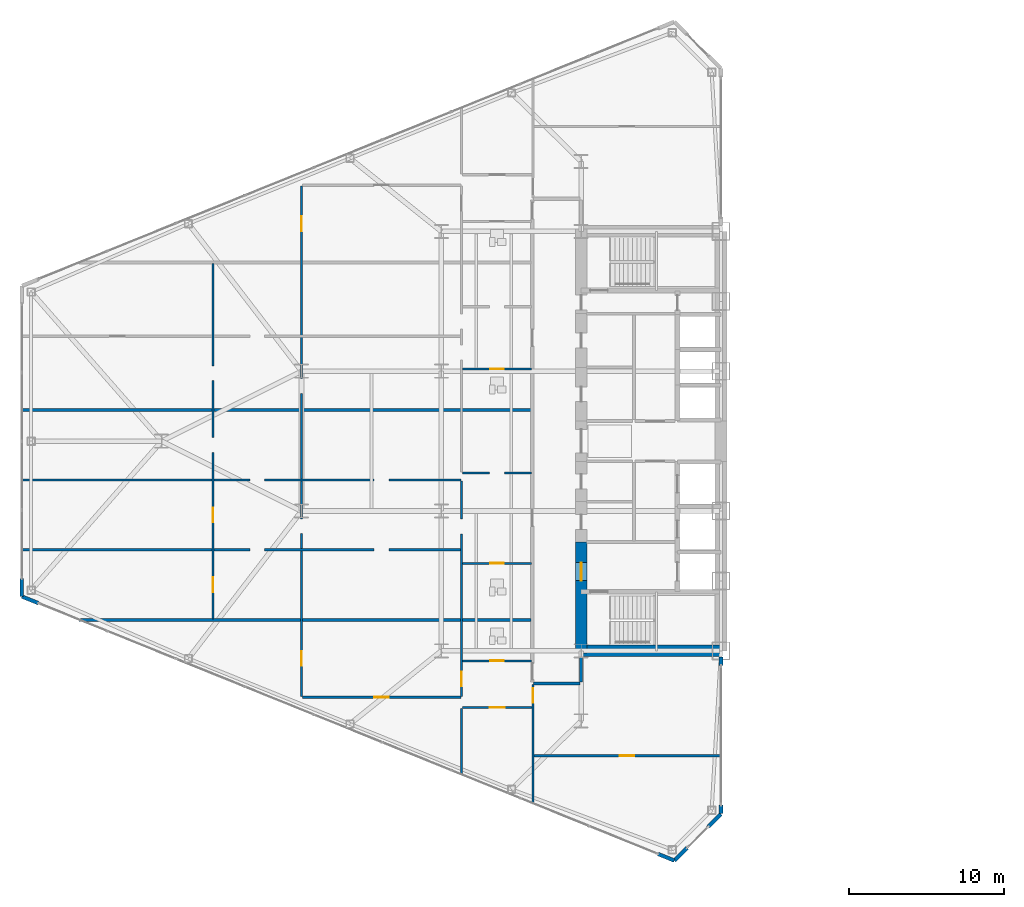
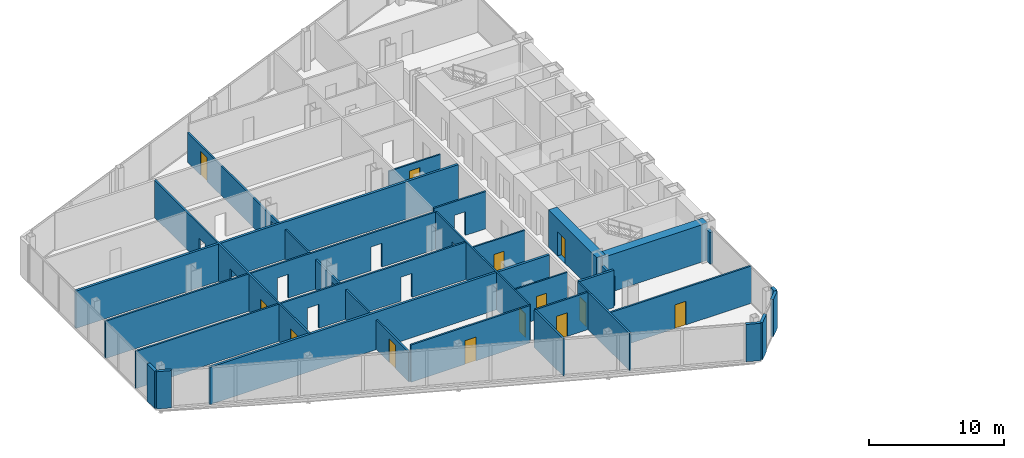
# One storey, part 17 of 25: 27 walls, 13 doors, 23 openings.
"""IFC4 building model written with IfcOpenShell, lengths in metres."""

from ifc_helpers import new_model, si_unit, direction, frame, frame_2d, origin, place, context, subcontext, project, spatial, rectangle, extrude, source, transform, mapped, material, layer, layer_set, type_object, type_shapes, element, fill, save


model = new_model("IFC4")

# Units and contexts
model_context = context("Model", 3, precision=1e-05, world=origin(), true_north=direction((0.0, 1.0)))
body_context = subcontext(model_context, "Body", "Model", "MODEL_VIEW")
ifc_project = project(units=[si_unit("LENGTHUNIT", "METRE"), si_unit("AREAUNIT", "SQUARE_METRE"), si_unit("VOLUMEUNIT", "CUBIC_METRE"), si_unit("PLANEANGLEUNIT", "RADIAN"), si_unit("MASSUNIT", "GRAM", prefix="KILO")], contexts=[model_context])

# Site, building, storey
site_placement = place(None, origin())
site = spatial("IfcSite", under=ifc_project, at=site_placement, CompositionType="ELEMENT")
building_placement = place(site_placement, origin())
building = spatial("IfcBuilding", under=site, at=building_placement, Name="Seokmaru Belvedere", CompositionType="ELEMENT")
storey_placement = place(building_placement, frame((0.0, 0.0, 29.699951171875)))
storey = spatial("IfcBuildingStorey", under=building, at=storey_placement, Name="L07", CompositionType="ELEMENT", Elevation=29.699951171875)

# Wall, opening, door
ifc_material_1 = material(Name="Fire-Rated Gypsum Shaftwall")
ifc_layer_1 = layer(ifc_material_1, 0.14990234375)
ifc_layer_set_1 = layer_set([ifc_layer_1], Name="Fire-Rated Gypsum Shaftwall")
wall_type_1 = type_object("IfcWallType", Name="Apartment Fire-Acoustic Room Partition 150", PredefinedType="PARTITIONING", material=ifc_layer_set_1)
wall_1_placement = place(storey_placement, frame((-39.550048828125, -20.25, 0.0), z_axis=(0.0, 0.0, 1.0), x_axis=(1.0, 0.0, 0.0)))
wall_1 = element("IfcWall", 1, at=wall_1_placement, inside=storey, type_object=wall_type_1, Name="L07 Interior Partition 001", PredefinedType="PARTITIONING", context=body_context, shape_type="SweptSolid", body=[
    extrude(rectangle(XDim=12.0849609375, YDim=0.14990234375, at=frame_2d((6.04248046875, 0.0))), origin(), (0.0, 0.0, 1.0), 3.380126953125),
])
opening_1_placement = place(wall_1_placement, frame((5.52490234375, 0.0, 0.0)))
opening_1 = element("IfcOpeningElement", 2, at=opening_1_placement, cuts=wall_1, Name="Opening D05", PredefinedType="OPENING", context=body_context, shape_type="SweptSolid", body=[
    extrude(rectangle(XDim=0.949951171875, YDim=2.14990234375, at=frame_2d((0.47509765625, 1.074951171875))), frame((0.0, 0.0849609375, 0.0), z_axis=(0.0, -1.0, 0.0), x_axis=(1.0, 0.0, 0.0)), (0.0, 0.0, 1.0), 0.169921875),
])
ifc_material_2 = material(Name="Engineered White Oak Timber", Category="wood")
door_type_1 = type_object("IfcDoorType", Name="Apartment Interior Fire-Rated Oak Door 950x2150", OperationType="NOTDEFINED", PredefinedType="DOOR", material=ifc_material_2)
shared_shape_1 = source(origin(), body_context, "Body", "SweptSolid", [
    extrude(rectangle(XDim=0.949951171875, YDim=2.14990234375, at=frame_2d((0.47509765625, 1.074951171875))), frame((0.0, 0.02490234375, 0.0), z_axis=(0.0, -1.0, 0.0), x_axis=(1.0, 0.0, 0.0)), (0.0, 0.0, 1.0), 0.050048828125),
])
type_shapes(door_type_1, [shared_shape_1])
door_1_placement = place(opening_1_placement, origin())
door_1 = element("IfcDoor", 3, at=door_1_placement, inside=storey, type_object=door_type_1, Name="L07 Interior Door 008", OperationType="SINGLE_SWING_RIGHT", OverallHeight=2.14990234375, OverallWidth=0.949951171875, PredefinedType="DOOR", context=body_context, shape_type="MappedRepresentation", body=[
    mapped(shared_shape_1, transform((0.0, 0.0, 0.0), scale=1.0)),
])
fill(opening_1, door_1)

wall_2_placement = place(storey_placement, frame((-44.14990234375, -17.139892578125, 0.0), z_axis=(0.0, 0.0, 1.0), x_axis=(1.0, 0.0, 0.0)))
wall_2 = element("IfcWall", 4, at=wall_2_placement, inside=storey, type_object=wall_type_1, Name="L07 Interior Partition 003", PredefinedType="PARTITIONING", context=body_context, shape_type="SweptSolid", body=[
    extrude(rectangle(XDim=4.5, YDim=0.14990234375, at=frame_2d((2.25, 0.0))), origin(), (0.0, 0.0, 1.0), 3.380126953125),
])
opening_2_placement = place(wall_2_placement, frame((1.77490234375, 0.0, 0.0)))
opening_2 = element("IfcOpeningElement", 5, at=opening_2_placement, cuts=wall_2, Name="Opening D05", PredefinedType="OPENING", context=body_context, shape_type="SweptSolid", body=[
    extrude(rectangle(XDim=0.949951171875, YDim=2.14990234375, at=frame_2d((0.47509765625, 1.074951171875))), frame((0.0, 0.0849609375, 0.0), z_axis=(0.0, -1.0, 0.0), x_axis=(1.0, 0.0, 0.0)), (0.0, 0.0, 1.0), 0.169921875),
])
door_2_placement = place(opening_2_placement, origin())
door_2 = element("IfcDoor", 6, at=door_2_placement, inside=storey, type_object=door_type_1, Name="L07 Interior Door 003", OperationType="SINGLE_SWING_LEFT", OverallHeight=2.14990234375, OverallWidth=0.949951171875, PredefinedType="DOOR", context=body_context, shape_type="MappedRepresentation", body=[
    mapped(shared_shape_1, transform((0.0, 0.0, 0.0), scale=1.0)),
])
fill(opening_2, door_2)

wall_3_placement = place(storey_placement, frame((-54.449951171875, -16.47998046875, 0.0), z_axis=(0.0, 0.0, 1.0), x_axis=(1.0, 0.0, 0.0)))
wall_3 = element("IfcWall", 7, at=wall_3_placement, inside=storey, type_object=wall_type_1, Name="L07 Interior Partition 005", PredefinedType="PARTITIONING", context=body_context, shape_type="SweptSolid", body=[
    extrude(rectangle(XDim=10.199951171875, YDim=0.14990234375, at=frame_2d((5.10009765625, 0.0))), origin(), (0.0, 0.0, 1.0), 3.380126953125),
])
opening_3_placement = place(wall_3_placement, frame((4.625, 0.0, 0.0)))
opening_3 = element("IfcOpeningElement", 8, at=opening_3_placement, cuts=wall_3, Name="Opening D05", PredefinedType="OPENING", context=body_context, shape_type="SweptSolid", body=[
    extrude(rectangle(XDim=0.949951171875, YDim=2.14990234375, at=frame_2d((0.47509765625, 1.074951171875))), frame((0.0, 0.0849609375, 0.0), z_axis=(0.0, -1.0, 0.0), x_axis=(1.0, 0.0, 0.0)), (0.0, 0.0, 1.0), 0.169921875),
])
door_3_placement = place(opening_3_placement, origin())
door_3 = element("IfcDoor", 9, at=door_3_placement, inside=storey, type_object=door_type_1, Name="L07 Interior Door 007", OperationType="SINGLE_SWING_LEFT", OverallHeight=2.14990234375, OverallWidth=0.949951171875, PredefinedType="DOOR", context=body_context, shape_type="MappedRepresentation", body=[
    mapped(shared_shape_1, transform((0.0, 0.0, 0.0), scale=1.0)),
])
fill(opening_3, door_3)

# Wall, openings
wall_4_placement = place(storey_placement, frame((-72.534912109375, -7.0, 0.0), z_axis=(0.0, 0.0, 1.0), x_axis=(1.0, 0.0, 0.0)))
wall_4 = element("IfcWall", 10, at=wall_4_placement, inside=storey, type_object=wall_type_1, Name="L07 Interior Partition 014", PredefinedType="PARTITIONING", context=body_context, shape_type="SweptSolid", body=[
    extrude(rectangle(XDim=28.284912109375, YDim=0.14990234375, at=frame_2d((14.142578125, 0.0))), origin(), (0.0, 0.0, 1.0), 3.380126953125),
])
opening_4_placement = place(wall_4_placement, frame((22.7099609375, 0.0, 0.0)))
element("IfcOpeningElement", 11, at=opening_4_placement, cuts=wall_4, Name="L07 Cased Opening 014", PredefinedType="OPENING", context=body_context, shape_type="SweptSolid", body=[
    extrude(rectangle(XDim=0.949951171875, YDim=2.14990234375, at=frame_2d((0.47509765625, 1.074951171875))), frame((0.0, 0.0849609375, 0.0), z_axis=(0.0, -1.0, 0.0), x_axis=(1.0, 0.0, 0.0)), (0.0, 0.0, 1.0), 0.169921875),
])
opening_5_placement = place(wall_4_placement, frame((14.7099609375, 0.0, 0.0)))
element("IfcOpeningElement", 12, at=opening_5_placement, cuts=wall_4, Name="L07 Cased Opening 016", PredefinedType="OPENING", context=body_context, shape_type="SweptSolid", body=[
    extrude(rectangle(XDim=0.949951171875, YDim=2.14990234375, at=frame_2d((0.47509765625, 1.074951171875))), frame((0.0, 0.0849609375, 0.0), z_axis=(0.0, -1.0, 0.0), x_axis=(1.0, 0.0, 0.0)), (0.0, 0.0, 1.0), 0.169921875),
])

wall_5_placement = place(storey_placement, frame((-72.534912109375, -2.5, 0.0), z_axis=(0.0, 0.0, 1.0), x_axis=(1.0, 0.0, 0.0)))
wall_5 = element("IfcWall", 13, at=wall_5_placement, inside=storey, type_object=wall_type_1, Name="L07 Interior Partition 016", PredefinedType="PARTITIONING", context=body_context, shape_type="SweptSolid", body=[
    extrude(rectangle(XDim=28.284912109375, YDim=0.14990234375, at=frame_2d((14.142578125, 0.0))), origin(), (0.0, 0.0, 1.0), 3.380126953125),
])
opening_6_placement = place(wall_5_placement, frame((22.7099609375, 0.0, 0.0)))
element("IfcOpeningElement", 14, at=opening_6_placement, cuts=wall_5, Name="L07 Cased Opening 015", PredefinedType="OPENING", context=body_context, shape_type="SweptSolid", body=[
    extrude(rectangle(XDim=0.949951171875, YDim=2.14990234375, at=frame_2d((0.47509765625, 1.074951171875))), frame((0.0, 0.0849609375, 0.0), z_axis=(0.0, -1.0, 0.0), x_axis=(1.0, 0.0, 0.0)), (0.0, 0.0, 1.0), 0.169921875),
])
opening_7_placement = place(wall_5_placement, frame((14.7099609375, 0.0, 0.0)))
element("IfcOpeningElement", 15, at=opening_7_placement, cuts=wall_5, Name="L07 Cased Opening 019", PredefinedType="OPENING", context=body_context, shape_type="SweptSolid", body=[
    extrude(rectangle(XDim=0.949951171875, YDim=2.14990234375, at=frame_2d((0.47509765625, 1.074951171875))), frame((0.0, 0.0849609375, 0.0), z_axis=(0.0, -1.0, 0.0), x_axis=(1.0, 0.0, 0.0)), (0.0, 0.0, 1.0), 0.169921875),
])

# Wall, opening
wall_6_placement = place(storey_placement, frame((-44.14990234375, -2.050048828125, 0.0), z_axis=(0.0, 0.0, 1.0), x_axis=(1.0, 0.0, 0.0)))
wall_6 = element("IfcWall", 16, at=wall_6_placement, inside=storey, type_object=wall_type_1, Name="L07 Interior Partition 018", PredefinedType="PARTITIONING", context=body_context, shape_type="SweptSolid", body=[
    extrude(rectangle(XDim=4.449951171875, YDim=0.14990234375, at=frame_2d((2.22509765625, 0.0))), origin(), (0.0, 0.0, 1.0), 3.380126953125),
])
opening_8_placement = place(wall_6_placement, frame((1.75, 0.0, 0.0)))
element("IfcOpeningElement", 17, at=opening_8_placement, cuts=wall_6, Name="L07 Cased Opening 011", PredefinedType="OPENING", context=body_context, shape_type="SweptSolid", body=[
    extrude(rectangle(XDim=0.949951171875, YDim=2.14990234375, at=frame_2d((0.47509765625, 1.074951171875))), frame((0.0, 0.0849609375, 0.0), z_axis=(0.0, -1.0, 0.0), x_axis=(1.0, 0.0, 0.0)), (0.0, 0.0, 1.0), 0.169921875),
])

# Wall, openings, doors
wall_7_placement = place(storey_placement, frame((-60.199951171875, -11.449951171875, 0.0), z_axis=(0.0, 0.0, 1.0), x_axis=(0.0, 1.0, 0.0)))
wall_7 = element("IfcWall", 18, at=wall_7_placement, inside=storey, type_object=wall_type_1, Name="L07 Interior Partition 039", PredefinedType="PARTITIONING", context=body_context, shape_type="SweptSolid", body=[
    extrude(rectangle(XDim=22.89990234375, YDim=0.14990234375, at=frame_2d((11.449951171875, 0.0))), origin(), (0.0, 0.0, 1.0), 3.380126953125),
])
opening_9_placement = place(wall_7_placement, frame((1.72509765625, 0.0, 0.0)))
opening_9 = element("IfcOpeningElement", 19, at=opening_9_placement, cuts=wall_7, Name="Opening D05", PredefinedType="OPENING", context=body_context, shape_type="SweptSolid", body=[
    extrude(rectangle(XDim=0.949951171875, YDim=2.14990234375, at=frame_2d((0.47509765625, 1.074951171875))), frame((0.0, 0.0849609375, 0.0), z_axis=(0.0, -1.0, 0.0), x_axis=(1.0, 0.0, 0.0)), (0.0, 0.0, 1.0), 0.169921875),
])
opening_10_placement = place(wall_7_placement, frame((6.22509765625, 0.0, 0.0)))
opening_10 = element("IfcOpeningElement", 20, at=opening_10_placement, cuts=wall_7, Name="Opening D05", PredefinedType="OPENING", context=body_context, shape_type="SweptSolid", body=[
    extrude(rectangle(XDim=0.949951171875, YDim=2.14990234375, at=frame_2d((0.47509765625, 1.074951171875))), frame((0.0, 0.0849609375, 0.0), z_axis=(0.0, -1.0, 0.0), x_axis=(1.0, 0.0, 0.0)), (0.0, 0.0, 1.0), 0.169921875),
])
opening_11_placement = place(wall_7_placement, frame((10.72509765625, 0.0, 0.0)))
element("IfcOpeningElement", 21, at=opening_11_placement, cuts=wall_7, Name="L07 Cased Opening 020", PredefinedType="OPENING", context=body_context, shape_type="SweptSolid", body=[
    extrude(rectangle(XDim=0.949951171875, YDim=2.14990234375, at=frame_2d((0.47509765625, 1.074951171875))), frame((0.0, 0.0849609375, 0.0), z_axis=(0.0, -1.0, 0.0), x_axis=(1.0, 0.0, 0.0)), (0.0, 0.0, 1.0), 0.169921875),
])
opening_12_placement = place(wall_7_placement, frame((15.35009765625, 0.0, 0.0)))
element("IfcOpeningElement", 22, at=opening_12_placement, cuts=wall_7, Name="L07 Cased Opening 027", PredefinedType="OPENING", context=body_context, shape_type="SweptSolid", body=[
    extrude(rectangle(XDim=0.949951171875, YDim=2.14990234375, at=frame_2d((0.47509765625, 1.074951171875))), frame((0.0, 0.0849609375, 0.0), z_axis=(0.0, -1.0, 0.0), x_axis=(1.0, 0.0, 0.0)), (0.0, 0.0, 1.0), 0.169921875),
])
door_4_placement = place(opening_9_placement, origin())
door_4 = element("IfcDoor", 23, at=door_4_placement, inside=storey, type_object=door_type_1, Name="L07 Interior Door 017", OperationType="SINGLE_SWING_RIGHT", OverallHeight=2.14990234375, OverallWidth=0.949951171875, PredefinedType="DOOR", context=body_context, shape_type="MappedRepresentation", body=[
    mapped(shared_shape_1, transform((0.0, 0.0, 0.0), scale=1.0)),
])
fill(opening_9, door_4)
door_5_placement = place(opening_10_placement, origin())
door_5 = element("IfcDoor", 24, at=door_5_placement, inside=storey, type_object=door_type_1, Name="L07 Interior Door 018", OperationType="SINGLE_SWING_RIGHT", OverallHeight=2.14990234375, OverallWidth=0.949951171875, PredefinedType="DOOR", context=body_context, shape_type="MappedRepresentation", body=[
    mapped(shared_shape_1, transform((0.0, 0.0, 0.0), scale=1.0)),
])
fill(opening_10, door_5)

wall_8_placement = place(storey_placement, frame((-54.5, -16.427001953125, 0.0), z_axis=(0.0, 0.0, 1.0), x_axis=(0.0, 1.0, 0.0)))
wall_8 = element("IfcWall", 25, at=wall_8_placement, inside=storey, type_object=wall_type_1, Name="L07 Interior Partition 040", PredefinedType="PARTITIONING", context=body_context, shape_type="SweptSolid", body=[
    extrude(rectangle(XDim=32.85400390625, YDim=0.14990234375, at=frame_2d((16.427001953125, 0.0))), origin(), (0.0, 0.0, 1.0), 2.679931640625),
])
opening_13_placement = place(wall_8_placement, frame((1.96337890625, 0.0, 0.0)))
opening_13 = element("IfcOpeningElement", 26, at=opening_13_placement, cuts=wall_8, Name="Opening D05", PredefinedType="OPENING", context=body_context, shape_type="SweptSolid", body=[
    extrude(rectangle(XDim=0.949951171875, YDim=2.14990234375, at=frame_2d((0.47509765625, 1.074951171875))), frame((0.0, 0.0849609375, 0.0), z_axis=(0.0, -1.0, 0.0), x_axis=(1.0, 0.0, 0.0)), (0.0, 0.0, 1.0), 0.169921875),
])
opening_14_placement = place(wall_8_placement, frame((10.469970703125, 0.0, 0.0)))
element("IfcOpeningElement", 27, at=opening_14_placement, cuts=wall_8, Name="L07 Cased Opening 013", PredefinedType="OPENING", context=body_context, shape_type="SweptSolid", body=[
    extrude(rectangle(XDim=0.949951171875, YDim=2.14990234375, at=frame_2d((0.47509765625, 1.074951171875))), frame((0.0, 0.0849609375, 0.0), z_axis=(0.0, -1.0, 0.0), x_axis=(1.0, 0.0, 0.0)), (0.0, 0.0, 1.0), 0.169921875),
])
opening_15_placement = place(wall_8_placement, frame((19.50390625, 0.0, 0.0)))
element("IfcOpeningElement", 28, at=opening_15_placement, cuts=wall_8, Name="L07 Cased Opening 026", PredefinedType="OPENING", context=body_context, shape_type="SweptSolid", body=[
    extrude(rectangle(XDim=0.949951171875, YDim=2.14990234375, at=frame_2d((0.47509765625, 1.074951171875))), frame((0.0, 0.0849609375, 0.0), z_axis=(0.0, -1.0, 0.0), x_axis=(1.0, 0.0, 0.0)), (0.0, 0.0, 1.0), 0.169921875),
])
opening_16_placement = place(wall_8_placement, frame((29.940673828125, 0.0, 0.0)))
opening_16 = element("IfcOpeningElement", 29, at=opening_16_placement, cuts=wall_8, Name="Opening D05", PredefinedType="OPENING", context=body_context, shape_type="SweptSolid", body=[
    extrude(rectangle(XDim=0.949951171875, YDim=2.14990234375, at=frame_2d((0.47509765625, 1.074951171875))), frame((0.0, 0.0849609375, 0.0), z_axis=(0.0, -1.0, 0.0), x_axis=(1.0, 0.0, 0.0)), (0.0, 0.0, 1.0), 0.169921875),
])
door_6_placement = place(opening_13_placement, origin())
door_6 = element("IfcDoor", 30, at=door_6_placement, inside=storey, type_object=door_type_1, Name="L07 Interior Door 006", OperationType="SINGLE_SWING_RIGHT", OverallHeight=2.14990234375, OverallWidth=0.949951171875, PredefinedType="DOOR", context=body_context, shape_type="MappedRepresentation", body=[
    mapped(shared_shape_1, transform((0.0, 0.0, 0.0), scale=1.0)),
])
fill(opening_13, door_6)
door_7_placement = place(opening_16_placement, origin())
door_7 = element("IfcDoor", 31, at=door_7_placement, inside=storey, type_object=door_type_1, Name="L07 Interior Door 035", OperationType="SINGLE_SWING_RIGHT", OverallHeight=2.14990234375, OverallWidth=0.949951171875, PredefinedType="DOOR", context=body_context, shape_type="MappedRepresentation", body=[
    mapped(shared_shape_1, transform((0.0, 0.0, 0.0), scale=1.0)),
])
fill(opening_16, door_7)

# Wall
wall_9_placement = place(storey_placement, frame((-44.199951171875, -21.489990234375, 0.0), z_axis=(0.0, 0.0, 1.0), x_axis=(0.0, 1.0, 0.0)))
element("IfcWall", 32, at=wall_9_placement, inside=storey, type_object=wall_type_1, Name="L07 Interior Partition 041", PredefinedType="PARTITIONING", context=body_context, shape_type="SweptSolid", body=[
    extrude(rectangle(XDim=4.294921875, YDim=0.14990234375, at=frame_2d((2.1474609375, 0.0))), origin(), (0.0, 0.0, 1.0), 3.380126953125),
])

# Wall, opening, door
wall_10_placement = place(storey_placement, frame((-39.60009765625, -23.35205078125, 0.0), z_axis=(0.0, 0.0, 1.0), x_axis=(0.0, 1.0, 0.0)))
wall_10 = element("IfcWall", 33, at=wall_10_placement, inside=storey, type_object=wall_type_1, Name="L07 Interior Partition 046", PredefinedType="PARTITIONING", context=body_context, shape_type="SweptSolid", body=[
    extrude(rectangle(XDim=7.7021484375, YDim=0.14990234375, at=frame_2d((3.85107421875, 0.0))), origin(), (0.0, 0.0, 1.0), 3.380126953125),
])
opening_17_placement = place(wall_10_placement, frame((6.50439453125, 0.0, 0.0)))
opening_17 = element("IfcOpeningElement", 34, at=opening_17_placement, cuts=wall_10, Name="Opening D05", PredefinedType="OPENING", context=body_context, shape_type="SweptSolid", body=[
    extrude(rectangle(XDim=0.949951171875, YDim=2.14990234375, at=frame_2d((0.47509765625, 1.074951171875))), frame((0.0, 0.0849609375, 0.0), z_axis=(0.0, -1.0, 0.0), x_axis=(1.0, 0.0, 0.0)), (0.0, 0.0, 1.0), 0.169921875),
])
door_8_placement = place(opening_17_placement, origin())
door_8 = element("IfcDoor", 35, at=door_8_placement, inside=storey, type_object=door_type_1, Name="L07 Interior Door 005", OperationType="SINGLE_SWING_RIGHT", OverallHeight=2.14990234375, OverallWidth=0.949951171875, PredefinedType="DOOR", context=body_context, shape_type="MappedRepresentation", body=[
    mapped(shared_shape_1, transform((0.0, 0.0, 0.0), scale=1.0)),
])
fill(opening_17, door_8)

# Walls
ifc_layer_2 = layer(ifc_material_1, 0.199951171875)
ifc_layer_set_2 = layer_set([ifc_layer_2], Name="Fire-Rated Gypsum Shaftwall")
wall_type_2 = type_object("IfcWallType", Name="Inter-Tenancy Fire Compartment Partition 200", PredefinedType="PARTITIONING", material=ifc_layer_set_2)
wall_11_placement = place(storey_placement, frame((-39.56494140625, -15.60009765625, 0.0), z_axis=(0.0, 0.0, 1.0), x_axis=(1.0, 0.0, 0.0)))
element("IfcWall", 36, at=wall_11_placement, inside=storey, type_object=wall_type_2, Name="L07 Interior Partition 006", PredefinedType="PARTITIONING", context=body_context, shape_type="SweptSolid", body=[
    extrude(rectangle(XDim=2.97998046875, YDim=0.199951171875, at=frame_2d((1.489990234375, 0.0))), origin(), (0.0, 0.0, 1.0), 3.380126953125),
])
wall_12_placement = place(storey_placement, frame((-68.806884765625, -11.5, 0.0), z_axis=(0.0, 0.0, 1.0), x_axis=(1.0, 0.0, 0.0)))
element("IfcWall", 37, at=wall_12_placement, inside=storey, type_object=wall_type_2, Name="L07 Interior Partition 011", PredefinedType="PARTITIONING", context=body_context, shape_type="SweptSolid", body=[
    extrude(rectangle(XDim=29.076904296875, YDim=0.199951171875, at=frame_2d((14.53857421875, 0.0))), origin(), (0.0, 0.0, 1.0), 3.380126953125),
])
wall_13_placement = place(storey_placement, frame((-72.5048828125, 2.0, 0.0), z_axis=(0.0, 0.0, 1.0), x_axis=(1.0, 0.0, 0.0)))
element("IfcWall", 38, at=wall_13_placement, inside=storey, type_object=wall_type_2, Name="L07 Interior Partition 020", PredefinedType="PARTITIONING", context=body_context, shape_type="SweptSolid", body=[
    extrude(rectangle(XDim=32.77490234375, YDim=0.199951171875, at=frame_2d((16.387451171875, 0.0))), origin(), (0.0, 0.0, 1.0), 3.380126953125),
])
wall_14_placement = place(storey_placement, frame((-36.5, -15.514892578125, 0.0), z_axis=(0.0, 0.0, 1.0), x_axis=(0.0, 1.0, 0.0)))
element("IfcWall", 39, at=wall_14_placement, inside=storey, type_object=wall_type_2, Name="L07 Interior Partition 048", PredefinedType="PARTITIONING", context=body_context, shape_type="SweptSolid", body=[
    extrude(rectangle(XDim=1.635009765625, YDim=0.199951171875, at=frame_2d((0.8173828125, 0.0))), origin(), (0.0, 0.0, 1.0), 2.679931640625),
])
ifc_material_3 = material(Name="Concrete C60 (60 MPa)", Category="concrete")
ifc_layer_3 = layer(ifc_material_3, 0.75)
ifc_layer_set_3 = layer_set([ifc_layer_3], Name="Concrete C60 (60 MPa)")
wall_type_3 = type_object("IfcWallType", Name="Lower Tower Reinforced Concrete Core Wall 750", PredefinedType="SHEAR", material=ifc_layer_set_3)
wall_15_placement = place(storey_placement, frame((-36.5, -13.5, 0.0), z_axis=(0.0, 0.0, 1.0), x_axis=(1.0, 0.0, 0.0)))
element("IfcWall", 40, at=wall_15_placement, inside=storey, type_object=wall_type_3, Name="L07 West South Core Wall", PredefinedType="SHEAR", context=body_context, shape_type="SweptSolid", body=[
    extrude(rectangle(XDim=9.0, YDim=0.75, at=frame_2d((4.5, 0.0))), origin(), (0.0, 0.0, 1.0), 3.380126953125),
])

# Wall, opening, door
wall_16_placement = place(storey_placement, frame((-36.5, -13.64990234375, 0.0), z_axis=(0.0, 0.0, 1.0), x_axis=(0.0, 1.0, 0.0)))
wall_16 = element("IfcWall", 41, at=wall_16_placement, inside=storey, type_object=wall_type_3, Name="L07 West West Core Wall FF", PredefinedType="SHEAR", context=body_context, shape_type="SweptSolid", body=[
    extrude(rectangle(XDim=7.14990234375, YDim=0.75, at=frame_2d((3.574951171875, 0.0))), origin(), (0.0, 0.0, 1.0), 3.380126953125),
])
opening_18_placement = place(wall_16_placement, frame((4.675048828125, 0.0, 0.0)))
opening_18 = element("IfcOpeningElement", 42, at=opening_18_placement, cuts=wall_16, Name="Opening D02", PredefinedType="OPENING", context=body_context, shape_type="SweptSolid", body=[
    extrude(rectangle(XDim=1.14990234375, YDim=2.199951171875, at=frame_2d((0.574951171875, 1.10009765625))), frame((0.0, 0.385009765625, 0.0), z_axis=(0.0, -1.0, 0.0), x_axis=(1.0, 0.0, 0.0)), (0.0, 0.0, 1.0), 0.77001953125),
])
ifc_material_4 = material(Name="Fire-Rated Steel Leaf", Category="steel")
door_type_2 = type_object("IfcDoorType", Name="Lobby and Vestibule Fire Door 1150x2200", OperationType="NOTDEFINED", PredefinedType="DOOR", material=ifc_material_4)
shared_shape_2 = source(origin(), body_context, "Body", "SweptSolid", [
    extrude(rectangle(XDim=1.14990234375, YDim=2.199951171875, at=frame_2d((0.574951171875, 1.10009765625))), frame((0.0, 0.02490234375, 0.0), z_axis=(0.0, -1.0, 0.0), x_axis=(1.0, 0.0, 0.0)), (0.0, 0.0, 1.0), 0.050048828125),
])
type_shapes(door_type_2, [shared_shape_2])
door_9_placement = place(opening_18_placement, frame((1.14990234375, 0.0, 0.0), z_axis=(0.0, 0.0, 1.0), x_axis=(-1.0, 0.0, 0.0)))
door_9 = element("IfcDoor", 43, at=door_9_placement, inside=storey, type_object=door_type_2, Name="L07 West Firefighting Lobby Door", OperationType="SINGLE_SWING_LEFT", OverallHeight=2.199951171875, OverallWidth=1.14990234375, PredefinedType="DOOR", context=body_context, shape_type="MappedRepresentation", body=[
    mapped(shared_shape_2, transform((0.0, 0.0, 0.0), scale=1.0)),
])
fill(opening_18, door_9)

ifc_layer_4 = layer(ifc_material_1, 0.1298828125)
ifc_layer_set_4 = layer_set([ifc_layer_4], Name="Fire-Rated Gypsum Shaftwall")
wall_type_4 = type_object("IfcWallType", Name="Moisture-Resistant Fire-Rated Bathroom Partition 130", PredefinedType="PARTITIONING", material=ifc_layer_set_4)
wall_17_placement = place(storey_placement, frame((-44.14990234375, -14.139892578125, 0.0), z_axis=(0.0, 0.0, 1.0), x_axis=(1.0, 0.0, 0.0)))
wall_17 = element("IfcWall", 44, at=wall_17_placement, inside=storey, type_object=wall_type_4, Name="L07 Interior Partition 008", PredefinedType="PARTITIONING", context=body_context, shape_type="SweptSolid", body=[
    extrude(rectangle(XDim=4.449951171875, YDim=0.1298828125, at=frame_2d((2.22509765625, 0.0))), origin(), (0.0, 0.0, 1.0), 3.380126953125),
])
opening_19_placement = place(wall_17_placement, frame((1.784912109375, 0.0, 0.0)))
opening_19 = element("IfcOpeningElement", 45, at=opening_19_placement, cuts=wall_17, Name="Opening D06", PredefinedType="OPENING", context=body_context, shape_type="SweptSolid", body=[
    extrude(rectangle(XDim=0.8798828125, YDim=2.10009765625, at=frame_2d((0.43994140625, 1.050048828125))), frame((0.0, 0.074951171875, 0.0), z_axis=(0.0, -1.0, 0.0), x_axis=(1.0, 0.0, 0.0)), (0.0, 0.0, 1.0), 0.14990234375),
])
door_type_3 = type_object("IfcDoorType", Name="Bathroom and Restroom Fire-Rated Door 880x2100", OperationType="NOTDEFINED", PredefinedType="DOOR", material=ifc_material_2)
shared_shape_3 = source(origin(), body_context, "Body", "SweptSolid", [
    extrude(rectangle(XDim=0.8798828125, YDim=2.10009765625, at=frame_2d((0.43994140625, 1.050048828125))), frame((0.0, 0.02490234375, 0.0), z_axis=(0.0, -1.0, 0.0), x_axis=(1.0, 0.0, 0.0)), (0.0, 0.0, 1.0), 0.050048828125),
])
type_shapes(door_type_3, [shared_shape_3])
door_10_placement = place(opening_19_placement, origin())
door_10 = element("IfcDoor", 46, at=door_10_placement, inside=storey, type_object=door_type_3, Name="L07 Interior Door 002", OperationType="SINGLE_SWING_LEFT", OverallHeight=2.10009765625, OverallWidth=0.8798828125, PredefinedType="DOOR", context=body_context, shape_type="MappedRepresentation", body=[
    mapped(shared_shape_3, transform((0.0, 0.0, 0.0), scale=1.0)),
])
fill(opening_19, door_10)

wall_18_placement = place(storey_placement, frame((-44.14990234375, -7.860107421875, 0.0), z_axis=(0.0, 0.0, 1.0), x_axis=(1.0, 0.0, 0.0)))
wall_18 = element("IfcWall", 47, at=wall_18_placement, inside=storey, type_object=wall_type_4, Name="L07 Interior Partition 013", PredefinedType="PARTITIONING", context=body_context, shape_type="SweptSolid", body=[
    extrude(rectangle(XDim=4.449951171875, YDim=0.1298828125, at=frame_2d((2.22509765625, 0.0))), origin(), (0.0, 0.0, 1.0), 3.380126953125),
])
opening_20_placement = place(wall_18_placement, frame((1.784912109375, 0.0, 0.0)))
opening_20 = element("IfcOpeningElement", 48, at=opening_20_placement, cuts=wall_18, Name="Opening D06", PredefinedType="OPENING", context=body_context, shape_type="SweptSolid", body=[
    extrude(rectangle(XDim=0.8798828125, YDim=2.10009765625, at=frame_2d((0.43994140625, 1.050048828125))), frame((0.0, 0.074951171875, 0.0), z_axis=(0.0, -1.0, 0.0), x_axis=(1.0, 0.0, 0.0)), (0.0, 0.0, 1.0), 0.14990234375),
])
door_11_placement = place(opening_20_placement, origin())
door_11 = element("IfcDoor", 49, at=door_11_placement, inside=storey, type_object=door_type_3, Name="L07 Interior Door 010", OperationType="SINGLE_SWING_LEFT", OverallHeight=2.10009765625, OverallWidth=0.8798828125, PredefinedType="DOOR", context=body_context, shape_type="MappedRepresentation", body=[
    mapped(shared_shape_3, transform((0.0, 0.0, 0.0), scale=1.0)),
])
fill(opening_20, door_11)

wall_19_placement = place(storey_placement, frame((-44.14990234375, 4.639892578125, 0.0), z_axis=(0.0, 0.0, 1.0), x_axis=(1.0, 0.0, 0.0)))
wall_19 = element("IfcWall", 50, at=wall_19_placement, inside=storey, type_object=wall_type_4, Name="L07 Interior Partition 023", PredefinedType="PARTITIONING", context=body_context, shape_type="SweptSolid", body=[
    extrude(rectangle(XDim=4.449951171875, YDim=0.1298828125, at=frame_2d((2.22509765625, 0.0))), origin(), (0.0, 0.0, 1.0), 2.679931640625),
])
opening_21_placement = place(wall_19_placement, frame((1.784912109375, 0.0, 0.0)))
opening_21 = element("IfcOpeningElement", 51, at=opening_21_placement, cuts=wall_19, Name="Opening D06", PredefinedType="OPENING", context=body_context, shape_type="SweptSolid", body=[
    extrude(rectangle(XDim=0.8798828125, YDim=2.10009765625, at=frame_2d((0.43994140625, 1.050048828125))), frame((0.0, 0.074951171875, 0.0), z_axis=(0.0, -1.0, 0.0), x_axis=(1.0, 0.0, 0.0)), (0.0, 0.0, 1.0), 0.14990234375),
])
door_12_placement = place(opening_21_placement, origin())
door_12 = element("IfcDoor", 52, at=door_12_placement, inside=storey, type_object=door_type_3, Name="L07 Interior Door 022", OperationType="SINGLE_SWING_LEFT", OverallHeight=2.10009765625, OverallWidth=0.8798828125, PredefinedType="DOOR", context=body_context, shape_type="MappedRepresentation", body=[
    mapped(shared_shape_3, transform((0.0, 0.0, 0.0), scale=1.0)),
])
fill(opening_21, door_12)

# Wall, openings, door
wall_20_placement = place(storey_placement, frame((-44.199951171875, -16.427001953125, 0.0), z_axis=(0.0, 0.0, 1.0), x_axis=(0.0, 1.0, 0.0)))
wall_20 = element("IfcWall", 53, at=wall_20_placement, inside=storey, type_object=wall_type_4, Name="L07 Interior Partition 042", PredefinedType="PARTITIONING", context=body_context, shape_type="SweptSolid", body=[
    extrude(rectangle(XDim=13.876953125, YDim=0.1298828125, at=frame_2d((6.9384765625, 0.0))), origin(), (0.0, 0.0, 1.0), 3.380126953125),
])
opening_22_placement = place(wall_20_placement, frame((0.640869140625, 0.0, 0.0)))
opening_22 = element("IfcOpeningElement", 54, at=opening_22_placement, cuts=wall_20, Name="Opening D05", PredefinedType="OPENING", context=body_context, shape_type="SweptSolid", body=[
    extrude(rectangle(XDim=0.949951171875, YDim=2.14990234375, at=frame_2d((0.47509765625, 1.074951171875))), frame((0.0, 0.074951171875, 0.0), z_axis=(0.0, -1.0, 0.0), x_axis=(1.0, 0.0, 0.0)), (0.0, 0.0, 1.0), 0.14990234375),
])
opening_23_placement = place(wall_20_placement, frame((10.45361328125, 0.0, 0.0)))
element("IfcOpeningElement", 55, at=opening_23_placement, cuts=wall_20, Name="L07 Cased Opening 012", PredefinedType="OPENING", context=body_context, shape_type="SweptSolid", body=[
    extrude(rectangle(XDim=0.949951171875, YDim=2.14990234375, at=frame_2d((0.47509765625, 1.074951171875))), frame((0.0, 0.074951171875, 0.0), z_axis=(0.0, -1.0, 0.0), x_axis=(1.0, 0.0, 0.0)), (0.0, 0.0, 1.0), 0.14990234375),
])
door_13_placement = place(opening_22_placement, origin())
door_13 = element("IfcDoor", 56, at=door_13_placement, inside=storey, type_object=door_type_1, Name="L07 Interior Door 004", OperationType="SINGLE_SWING_RIGHT", OverallHeight=2.14990234375, OverallWidth=0.949951171875, PredefinedType="DOOR", context=body_context, shape_type="MappedRepresentation", body=[
    mapped(shared_shape_1, transform((0.0, 0.0, 0.0), scale=1.0)),
])
fill(opening_22, door_13)

# Walls
ifc_material_5 = material(Name="Anodised Bronze Aluminium", Category="aluminium")
ifc_layer_5 = layer(ifc_material_5, 0.239990234375)
ifc_layer_set_5 = layer_set([ifc_layer_5], Name="Anodised Bronze Aluminium")
wall_type_5 = type_object("IfcWallType", Name="Tower Corner Spandrel Closure Wall 240", PredefinedType="SOLIDWALL", material=ifc_layer_set_5)
wall_21_placement = place(storey_placement, frame((-27.5, -23.97998046875, 0.0), z_axis=(0.0, 0.0, 1.0), x_axis=(0.0, 1.0, 0.0)))
element("IfcWall", 57, at=wall_21_placement, inside=storey, type_object=wall_type_5, Name="L07 W Spine Closure Pier 1A", PredefinedType="SOLIDWALL", context=body_context, shape_type="SweptSolid", body=[
    extrude(rectangle(XDim=0.550048828125, YDim=0.239990234375, at=frame_2d((0.27490234375, 0.0))), origin(), (0.0, 0.0, 1.0), 3.380126953125),
])
wall_22_placement = place(storey_placement, frame((-27.5, -14.429931640625, 0.0), z_axis=(0.0, 0.0, 1.0), x_axis=(0.0, 1.0, 0.0)))
element("IfcWall", 58, at=wall_22_placement, inside=storey, type_object=wall_type_5, Name="L07 W Spine Closure Pier 1B", PredefinedType="SOLIDWALL", context=body_context, shape_type="SweptSolid", body=[
    extrude(rectangle(XDim=0.550048828125, YDim=0.239990234375, at=frame_2d((0.27490234375, 0.0))), origin(), (0.0, 0.0, 1.0), 2.880126953125),
])
for number, where, z_axis, x_axis, name in (
    (59, (-72.5, -8.85009765625, 0.0), (0.0, 0.0, 1.0), (0.0, -1.0, 0.0), "L07 W Corner Closure Pier 4B"),
    (60, (-72.49072265625, -10.00390625, 0.0), (0.0, 0.0, 1.0), (0.927007103665, -0.375043770452, 0.0), "L07 W Corner Closure Pier 5A"),
    (61, (-31.56591796875, -26.568603515625, 0.0), (0.0, 0.0, 1.0), (0.927007103665, -0.375043770452, 0.0), "L07 W Corner Closure Pier 5B"),
):
    element("IfcWall", number, at=place(storey_placement, frame(where, z_axis=z_axis, x_axis=x_axis)), inside=storey, type_object=wall_type_5, Name=name, PredefinedType="SOLIDWALL", context=body_context, shape_type="SweptSolid", body=[
        extrude(rectangle(XDim=1.139892578125, YDim=0.239990234375, at=frame_2d((0.56982421875, 0.0))), origin(), (0.0, 0.0, 1.0), 3.380126953125),
    ])
for number, where, z_axis, x_axis, name in (
    (62, (-30.492919921875, -26.992919921875, 0.0), (0.0, 0.0, 1.0), (0.707106781187, 0.707106781187, 0.0), "L07 W Corner Closure Pier 6A"),
    (63, (-28.313232421875, -24.813232421875, 0.0), (0.0, 0.0, 1.0), (0.707106781187, 0.707106781187, 0.0), "L07 W Corner Closure Pier 6B"),
):
    element("IfcWall", number, at=place(storey_placement, frame(where, z_axis=z_axis, x_axis=x_axis)), inside=storey, type_object=wall_type_5, Name=name, PredefinedType="SOLIDWALL", context=body_context, shape_type="SweptSolid", body=[
        extrude(rectangle(XDim=1.14013671875, YDim=0.239990234375, at=frame_2d((0.570068359375, 0.0))), origin(), (0.0, 0.0, 1.0), 3.380126953125),
    ])

save(model, "model.ifc")
